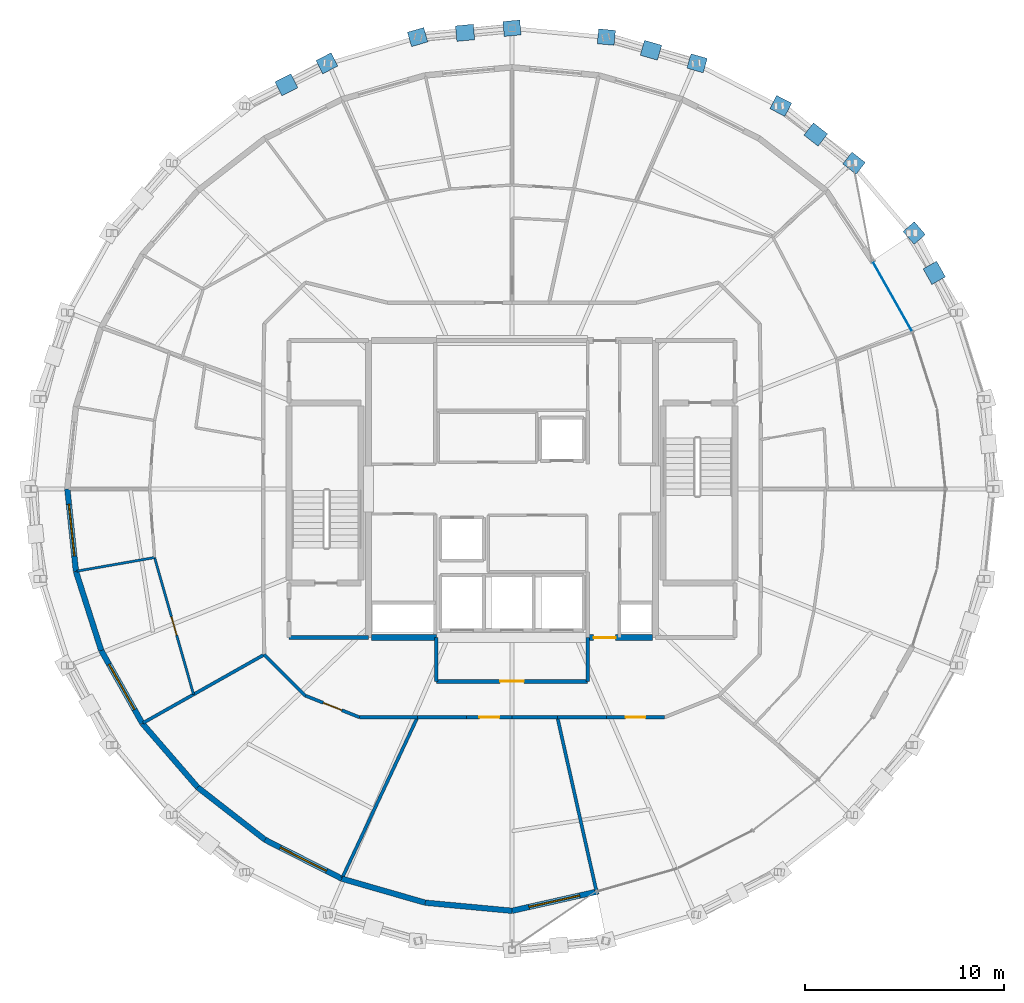
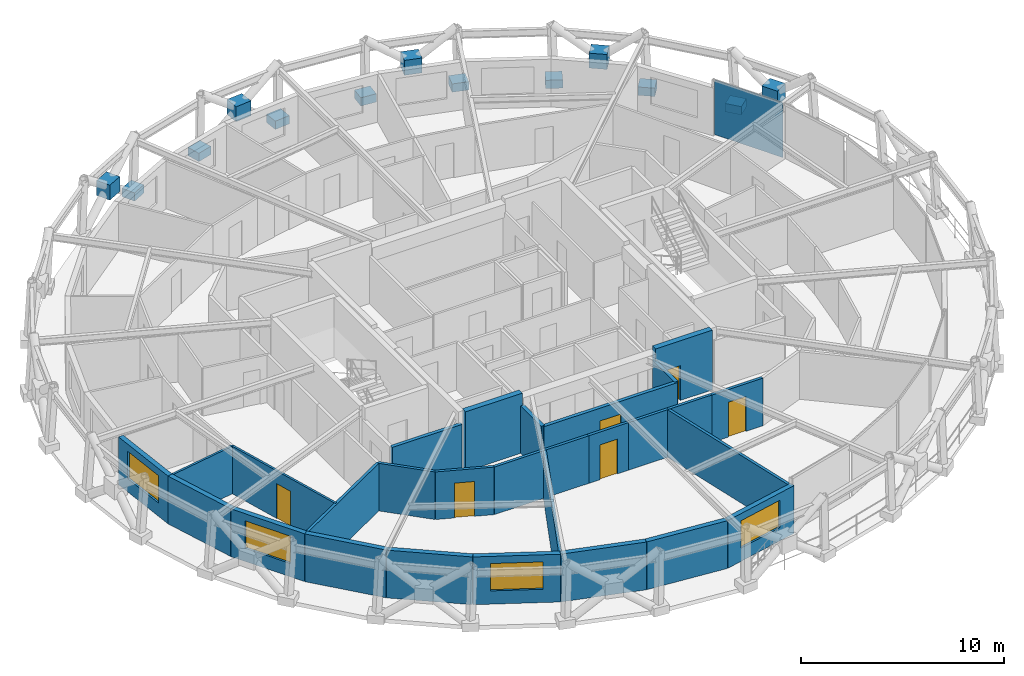
# One storey, part 12 of 18: 28 walls, 14 plates, 6 doors, 4 windows, 10 openings, 1 element without a shape of its own.
"""IFC4 building model written with IfcOpenShell, lengths in metres."""

import ifcopenshell
import ifcopenshell.guid

model = None  # the IFC model being written
_history = None  # IfcOwnerHistory: only IFC2X3 demands one
_inside = {}  # id of a spatial element -> (the spatial element, [elements in it])
_under = {}  # id of a project, library or spatial element -> (it, [spatial elements below it])
_declared = {}  # id of a project -> (the project, [libraries it declares])
_typed = {}  # id of a type object -> (the type object, [elements of that type])
_made_of = {}  # id of a material, layer set ... -> (it, [elements and type objects made of it])


def new_model(schema):
    """Start an empty IFC model of exactly this schema.

    Asked for "IFC4X3", IfcOpenShell would pick the latest addendum, in which some entities
    have other attributes; the version numbers below select the first issue.
    IFC2X3 requires an IfcOwnerHistory on every rooted entity: one is made here for all.
    """
    global model, _history
    if schema == "IFC4X3":
        model = ifcopenshell.file(schema_version=(4, 3, 0, 0))
    else:
        model = ifcopenshell.file(schema=schema)
    _inside.clear()
    _under.clear()
    _declared.clear()
    _typed.clear()
    _made_of.clear()
    _history = None
    if model.schema == "IFC2X3":
        org = make("IfcOrganization", Name="unknown")
        user = make(
            "IfcPersonAndOrganization",
            ThePerson=make("IfcPerson", FamilyName="unknown"),
            TheOrganization=org,
        )
        app = make(
            "IfcApplication",
            ApplicationDeveloper=org,
            Version="unknown",
            ApplicationFullName="unknown",
            ApplicationIdentifier="unknown",
        )
        _history = make(
            "IfcOwnerHistory",
            OwningUser=user,
            OwningApplication=app,
            ChangeAction="ADDED",
            CreationDate=0,
        )
    return model


def make(cls, **values):
    """One entity of the class cls with the attributes given. An attribute that is None is left unset."""
    return model.create_entity(
        cls, **{name: value for name, value in values.items() if value is not None}
    )


def rooted(cls, **values):
    """An entity with a GlobalId (a new one), such as an element, a storey or a relation."""
    return make(cls, GlobalId=ifcopenshell.guid.new(), OwnerHistory=_history, **values)


def si_unit(unit_type, name, prefix=None):
    """IfcSIUnit, for example si_unit("LENGTHUNIT", "METRE", prefix="MILLI")."""
    return make("IfcSIUnit", UnitType=unit_type, Prefix=prefix, Name=name)


def assignment(units):
    """IfcUnitAssignment: the units of a project."""
    return None if units is None else make("IfcUnitAssignment", Units=units)


def point(xyz):
    """IfcCartesianPoint."""
    return None if xyz is None else make("IfcCartesianPoint", Coordinates=xyz)


def direction(xyz):
    """IfcDirection."""
    return None if xyz is None else make("IfcDirection", DirectionRatios=xyz)


def frame(location, z_axis=None, x_axis=None):
    """IfcAxis2Placement3D, a coordinate frame: its origin and axes. An axis left out is left unset."""
    return make(
        "IfcAxis2Placement3D",
        Location=point(location),
        Axis=direction(z_axis),
        RefDirection=direction(x_axis),
    )


def frame_2d(location, x_axis=None):
    """IfcAxis2Placement2D, a coordinate frame in the plane: its origin and x axis."""
    return make(
        "IfcAxis2Placement2D", Location=point(location), RefDirection=direction(x_axis)
    )


def origin():
    """The frame at (0, 0, 0) with its axes left unset."""
    return frame((0.0, 0.0, 0.0))


def origin_2d():
    """The frame at (0, 0) in the plane with its x axis left unset."""
    return frame_2d((0.0, 0.0))


def place(relative_to, where):
    """IfcLocalPlacement: puts the frame where relative to a parent placement (None: the world)."""
    return make(
        "IfcLocalPlacement", PlacementRelTo=relative_to, RelativePlacement=where
    )


def context(
    kind, dimensions, precision=None, world=None, true_north=None, identifier=None
):
    """IfcGeometricRepresentationContext, for example the 3D "Model" context."""
    return make(
        "IfcGeometricRepresentationContext",
        ContextIdentifier=identifier,
        ContextType=kind,
        CoordinateSpaceDimension=dimensions,
        Precision=precision,
        WorldCoordinateSystem=world,
        TrueNorth=true_north,
    )


def subcontext(parent, identifier, kind, view, scale=None):
    """IfcGeometricRepresentationSubContext, for example "Body" below "Model"."""
    return make(
        "IfcGeometricRepresentationSubContext",
        ContextIdentifier=identifier,
        ContextType=kind,
        ParentContext=parent,
        TargetScale=scale,
        TargetView=view,
    )


def project(units=None, contexts=None):
    """IfcProject with its units and contexts."""
    return rooted(
        "IfcProject",
        Name="project",
        RepresentationContexts=contexts,
        UnitsInContext=assignment(units),
    )


def spatial(cls, under=None, at=None, **own):
    """A site, building, storey or space (cls), placed at a placement, below another one or the project."""
    s = rooted(cls, ObjectPlacement=at, **own)
    if under is not None:
        _under.setdefault(under.id(), (under, []))[1].append(s)
    return s


def profile(cls, at=None, kind="AREA", **sizes):
    """A parametric profile (cls). Its sizes go by their IFC names, for example OverallWidth=200.0."""
    return make(cls, ProfileType=kind, Position=at, **sizes)


def rectangle(**sizes):
    """IfcRectangleProfileDef."""
    return profile("IfcRectangleProfileDef", **sizes)


def extrude(swept, where, along, depth):
    """IfcExtrudedAreaSolid: the profile swept, set in the frame where, extruded along a direction by depth."""
    return make(
        "IfcExtrudedAreaSolid",
        SweptArea=swept,
        Position=where,
        ExtrudedDirection=direction(along),
        Depth=depth,
    )


def shape(context_of_items, identifier, shape_type, items):
    """IfcShapeRepresentation: the items that make up one representation, for example the "Body"."""
    return make(
        "IfcShapeRepresentation",
        ContextOfItems=context_of_items,
        RepresentationIdentifier=identifier,
        RepresentationType=shape_type,
        Items=items,
    )


def material(Name=None, Category=None):
    """IfcMaterial."""
    return make("IfcMaterial", Name=Name, Category=Category)


def layer(
    of_material, thickness, ventilated=None, Name=None, Category=None, Priority=None
):
    """IfcMaterialLayer: one layer of a wall or slab, of a material (None: an air gap)."""
    return make(
        "IfcMaterialLayer",
        Material=of_material,
        LayerThickness=thickness,
        IsVentilated=ventilated,
        Name=Name,
        Category=Category,
        Priority=Priority,
    )


def layer_set(layers, Name=None):
    """IfcMaterialLayerSet."""
    return make("IfcMaterialLayerSet", MaterialLayers=layers, LayerSetName=Name)


def made_of(thing, what):
    """Note that an element or type object is made of a material, layer set ...; save() writes the relation."""
    if what is not None:
        _made_of.setdefault(what.id(), (what, []))[1].append(thing)
    return thing


def type_object(cls, material=None, **own):
    """A type object (cls), such as IfcWallType, which elements share."""
    return made_of(rooted(cls, **own), material)


def element(
    cls,
    number,
    at=None,
    inside=None,
    cuts=None,
    type_object=None,
    material=None,
    context=None,
    identifier="Body",
    shape_type=None,
    held_by="IfcProductDefinitionShape",
    body=None,
    shapes=None,
    **own,
):
    """One element of the class cls, such as IfcWall. Its Tag is "e" and its number.

    at: its placement. inside: the storey or other place that contains it. cuts: it is an
    opening in that element (IfcRelVoidsElement). A single representation is given by context,
    identifier, shape_type and body (its items); several are given by shapes. held_by: the class
    of the entity that holds the representations. save() writes the other relations.
    """
    e = rooted(cls, Tag="e%d" % number, ObjectPlacement=at, **own)
    if body is not None:
        shapes = [shape(context, identifier, shape_type, body)]
    if shapes is not None:
        e.Representation = make(held_by, Representations=shapes)
    if inside is not None:
        _inside.setdefault(inside.id(), (inside, []))[1].append(e)
    if cuts is not None:
        rooted(
            "IfcRelVoidsElement", RelatingBuildingElement=cuts, RelatedOpeningElement=e
        )
    if type_object is not None:
        _typed.setdefault(type_object.id(), (type_object, []))[1].append(e)
    return made_of(e, material)


def fill(opening, filler):
    """IfcRelFillsElement: the door or window that sits in an opening."""
    return rooted(
        "IfcRelFillsElement",
        RelatingOpeningElement=opening,
        RelatedBuildingElement=filler,
    )


def aggregate(whole, parts):
    """IfcRelAggregates: a whole, such as a stair, and the parts it consists of."""
    return rooted("IfcRelAggregates", RelatingObject=whole, RelatedObjects=parts)


def save(model, path):
    """Write the relations noted so far, then the file.

    IfcRelAggregates (storeys below a building ...), IfcRelContainedInSpatialStructure (elements
    in a storey), IfcRelDefinesByType, IfcRelAssociatesMaterial and IfcRelDeclares: one each for
    every whole, place, type object, material and project.
    """
    for whole, parts in _under.values():
        aggregate(whole, parts)
    for where, things in _inside.values():
        rooted(
            "IfcRelContainedInSpatialStructure",
            RelatedElements=things,
            RelatingStructure=where,
        )
    for kind, things in _typed.values():
        rooted("IfcRelDefinesByType", RelatedObjects=things, RelatingType=kind)
    for what, things in _made_of.values():
        rooted("IfcRelAssociatesMaterial", RelatedObjects=things, RelatingMaterial=what)
    for by, libraries in _declared.values():
        rooted("IfcRelDeclares", RelatingContext=by, RelatedDefinitions=libraries)
    model.write(path)


model = new_model("IFC4")

# Units and contexts
model_context = context("Model", 3, precision=1e-05, world=origin(), true_north=direction((0.0, 1.0)))
body_context = subcontext(model_context, "Body", "Model", "MODEL_VIEW")
ifc_project = project(units=[si_unit("LENGTHUNIT", "METRE"), si_unit("AREAUNIT", "SQUARE_METRE"), si_unit("VOLUMEUNIT", "CUBIC_METRE"), si_unit("PLANEANGLEUNIT", "RADIAN"), si_unit("MASSUNIT", "GRAM", prefix="KILO")], contexts=[model_context])

# Site, building, storey
site_placement = place(None, origin())
site = spatial("IfcSite", under=ifc_project, at=site_placement, CompositionType="ELEMENT")
building_placement = place(site_placement, origin())
building = spatial("IfcBuilding", under=site, at=building_placement, Name="Veldorina Hangang Commons", CompositionType="ELEMENT")
storey_placement = place(building_placement, frame((0.0, 0.0, 232.800048828125)))
storey = spatial("IfcBuildingStorey", under=building, at=storey_placement, Name="L60", CompositionType="ELEMENT", Elevation=232.800048828125)

# Curtain wall, plate
ifc_material_1 = material(Name="Glass Low-E Selective", Category="glass")
ifc_layer_1 = layer(ifc_material_1, 0.179931640625)
ifc_layer_set_1 = layer_set([ifc_layer_1], Name="Glass Low-E Selective")
curtain_wall_type = type_object("IfcCurtainWallType", Name="CW-SYS-Z3", PredefinedType="NOTDEFINED", material=ifc_layer_set_1)
curtain_wall_placement = place(storey_placement, origin())
curtain_wall = element("IfcCurtainWall", 1, at=curtain_wall_placement, inside=storey, type_object=curtain_wall_type, Name="L60 unitised curtain wall CW-L60-R2", PredefinedType="NOTDEFINED")
ifc_material_2 = material(Name="Glass Low-E Triple IGU", Category="glass")
ifc_layer_2 = layer(ifc_material_2, 0.0400390625)
ifc_layer_set_2 = layer_set([ifc_layer_2], Name="Glass Low-E Triple IGU")
plate_type_1 = type_object("IfcPlateType", Name="CW-PNL-VIS", PredefinedType="CURTAIN_PANEL", material=ifc_layer_set_2)
plate_1_placement = place(storey_placement, frame((51.0859375, 33.6630859375, 0.014892578125), z_axis=(0.0, 0.0, 1.0), x_axis=(-0.49145105646, 0.870905195245, 0.0)))
plate_1 = element("IfcPlate", 2, at=plate_1_placement, type_object=plate_type_1, Name="CW-L60-R2 facet 5 glazed vision panel", PredefinedType="CURTAIN_PANEL", context=body_context, shape_type="SweptSolid", body=[
    extrude(rectangle(XDim=3.908935546875, YDim=0.0400390625, at=origin_2d()), origin(), (0.0, 0.0, 1.0), 3.2900390625),
])
aggregate(curtain_wall, [plate_1])

# Plates
ifc_material_3 = material(Name="Steel SM460-TMC", Category="steel")
ifc_layer_3 = layer(ifc_material_3, 0.035888671875)
ifc_layer_set_3 = layer_set([ifc_layer_3], Name="Steel SM460-TMC")
plate_type_2 = type_object("IfcPlateType", Name="PL-STAR-36", PredefinedType="USERDEFINED", material=ifc_layer_set_3)
plate_2_placement = place(storey_placement, frame((53.18359375, 34.84521484375, 1.352783203125), z_axis=(0.0, 0.0, 1.0), x_axis=(-0.489306347485, 0.872111975787, 0.0)))
element("IfcPlate", 3, at=plate_2_placement, inside=storey, type_object=plate_type_2, Name="L60 diagrid X-crossing star-node gusset plate 02", ObjectType="GUSSET PLATE", PredefinedType="USERDEFINED", context=body_context, shape_type="SweptSolid", body=[
    extrude(rectangle(XDim=0.89990234375, YDim=0.780029296875, at=origin_2d()), origin(), (0.0, 0.0, 1.0), 0.89990234375),
])
for number, where, z_axis, x_axis, name in (
    (4, (52.176513671875, 36.84375, -0.090087890625), (0.0, 0.0, 1.0), (-0.652667193568, 0.757644728378, 0.0), "L60 diagrid star-node gusset plate 03"),
    (5, (49.15869140625, 40.346923828125, -0.090087890625), (0.0, 0.0, 1.0), (-0.787785048966, 0.615950254992, 0.0), "L60 diagrid star-node gusset plate 04"),
):
    element("IfcPlate", number, at=place(storey_placement, frame(where, z_axis=z_axis, x_axis=x_axis)), inside=storey, type_object=plate_type_2, Name=name, ObjectType="GUSSET PLATE", PredefinedType="USERDEFINED", context=body_context, shape_type="SweptSolid", body=[
        extrude(rectangle(XDim=0.85009765625, YDim=0.75, at=origin_2d()), origin(), (0.0, 0.0, 1.0), 0.5),
    ])
plate_3_placement = place(storey_placement, frame((47.23828125, 41.78466796875, 1.3564453125), z_axis=(0.0, 0.0, 1.0), x_axis=(-0.787785048966, 0.615950254992, 0.0)))
element("IfcPlate", 6, at=plate_3_placement, inside=storey, type_object=plate_type_2, Name="L60 diagrid X-crossing star-node gusset plate 04", ObjectType="GUSSET PLATE", PredefinedType="USERDEFINED", context=body_context, shape_type="SweptSolid", body=[
    extrude(rectangle(XDim=0.89990234375, YDim=0.780029296875, at=origin_2d()), origin(), (0.0, 0.0, 1.0), 0.89990234375),
])
for number, where, z_axis, x_axis, name in (
    (7, (45.4814453125, 43.22216796875, -0.090087890625), (0.0, 0.0, 1.0), (-0.891117428394, 0.453772772224, 0.0), "L60 diagrid star-node gusset plate 05"),
    (8, (41.2861328125, 45.3583984375, -0.090087890625), (0.0, 0.0, 1.0), (-0.960687140311, 0.277633244482, 0.0), "L60 diagrid star-node gusset plate 06"),
):
    element("IfcPlate", number, at=place(storey_placement, frame(where, z_axis=z_axis, x_axis=x_axis)), inside=storey, type_object=plate_type_2, Name=name, ObjectType="GUSSET PLATE", PredefinedType="USERDEFINED", context=body_context, shape_type="SweptSolid", body=[
        extrude(rectangle(XDim=0.85009765625, YDim=0.75, at=origin_2d()), origin(), (0.0, 0.0, 1.0), 0.5),
    ])
plate_4_placement = place(storey_placement, frame((38.971923828125, 46.013671875, 1.359375), z_axis=(0.0, 0.0, 1.0), x_axis=(-0.960687140311, 0.277633244482, 0.0)))
element("IfcPlate", 9, at=plate_4_placement, inside=storey, type_object=plate_type_2, Name="L60 diagrid X-crossing star-node gusset plate 06", ObjectType="GUSSET PLATE", PredefinedType="USERDEFINED", context=body_context, shape_type="SweptSolid", body=[
    extrude(rectangle(XDim=0.89990234375, YDim=0.780029296875, at=origin_2d()), origin(), (0.0, 0.0, 1.0), 0.89990234375),
])
for number, where, z_axis, x_axis, name in (
    (10, (36.73388671875, 46.674072265625, -0.090087890625), (0.0, 0.0, 1.0), (-0.995627421982, 0.093413257074, 0.0), "L60 diagrid star-node gusset plate 07"),
    (11, (32.0, 47.1181640625, -0.090087890625), (0.0, 0.0, 1.0), (-0.995627421982, -0.093413257074, 0.0), "L60 diagrid star-node gusset plate 08"),
):
    element("IfcPlate", number, at=place(storey_placement, frame(where, z_axis=z_axis, x_axis=x_axis)), inside=storey, type_object=plate_type_2, Name=name, ObjectType="GUSSET PLATE", PredefinedType="USERDEFINED", context=body_context, shape_type="SweptSolid", body=[
        extrude(rectangle(XDim=0.85009765625, YDim=0.75, at=origin_2d()), origin(), (0.0, 0.0, 1.0), 0.5),
    ])
plate_5_placement = place(storey_placement, frame((29.646240234375, 46.888916015625, 1.360107421875), z_axis=(0.0, 0.0, 1.0), x_axis=(-0.995627421982, -0.093413257074, 0.0)))
element("IfcPlate", 12, at=plate_5_placement, inside=storey, type_object=plate_type_2, Name="L60 diagrid X-crossing star-node gusset plate 08", ObjectType="GUSSET PLATE", PredefinedType="USERDEFINED", context=body_context, shape_type="SweptSolid", body=[
    extrude(rectangle(XDim=0.89990234375, YDim=0.780029296875, at=origin_2d()), origin(), (0.0, 0.0, 1.0), 0.89990234375),
])
for number, where, z_axis, x_axis, name in (
    (13, (27.26611328125, 46.674072265625, -0.090087890625), (0.0, 0.0, 1.0), (-0.960687140311, -0.277633244482, 0.0), "L60 diagrid star-node gusset plate 09"),
    (14, (22.7138671875, 45.3583984375, -0.090087890625), (0.0, 0.0, 1.0), (-0.891117428394, -0.453772772224, 0.0), "L60 diagrid star-node gusset plate 10"),
):
    element("IfcPlate", number, at=place(storey_placement, frame(where, z_axis=z_axis, x_axis=x_axis)), inside=storey, type_object=plate_type_2, Name=name, ObjectType="GUSSET PLATE", PredefinedType="USERDEFINED", context=body_context, shape_type="SweptSolid", body=[
        extrude(rectangle(XDim=0.85009765625, YDim=0.75, at=origin_2d()), origin(), (0.0, 0.0, 1.0), 0.5),
    ])
plate_6_placement = place(storey_placement, frame((20.68212890625, 44.280517578125, 1.358154296875), z_axis=(0.0, 0.0, 1.0), x_axis=(-0.891117428394, -0.453772772224, 0.0)))
element("IfcPlate", 15, at=plate_6_placement, inside=storey, type_object=plate_type_2, Name="L60 diagrid X-crossing star-node gusset plate 10", ObjectType="GUSSET PLATE", PredefinedType="USERDEFINED", context=body_context, shape_type="SweptSolid", body=[
    extrude(rectangle(XDim=0.89990234375, YDim=0.780029296875, at=origin_2d()), origin(), (0.0, 0.0, 1.0), 0.89990234375),
])

# Wall
ifc_material_4 = material(Name="Concrete C50/60", Category="concrete")
ifc_layer_4 = layer(ifc_material_4, 0.320068359375)
ifc_layer_set_4 = layer_set([ifc_layer_4], Name="Concrete C50/60")
wall_type_1 = type_object("IfcWallType", Name="CW-RC320-C50", PredefinedType="SHEAR", material=ifc_layer_set_4)
wall_1_placement = place(storey_placement, frame((24.9599609375, 16.550048828125, 0.0), z_axis=(0.0, 0.0, 1.0), x_axis=(1.0, 0.0, 0.0)))
element("IfcWall", 16, at=wall_1_placement, inside=storey, type_object=wall_type_1, Name="L60 south-west core shear wall", PredefinedType="SHEAR", context=body_context, shape_type="SweptSolid", body=[
    extrude(rectangle(XDim=3.239990234375, YDim=0.320068359375, at=frame_2d((1.6201171875, 0.0))), origin(), (0.0, 0.0, 1.0), 3.599853515625),
])

# Wall, opening, door
wall_2_placement = place(storey_placement, frame((35.800048828125, 16.550048828125, 0.0), z_axis=(0.0, 0.0, 1.0), x_axis=(1.0, 0.0, 0.0)))
wall_2 = element("IfcWall", 17, at=wall_2_placement, inside=storey, type_object=wall_type_1, Name="L60 south-east core shear wall", PredefinedType="SHEAR", context=body_context, shape_type="SweptSolid", body=[
    extrude(rectangle(XDim=3.239990234375, YDim=0.320068359375, at=frame_2d((1.6201171875, 0.0))), origin(), (0.0, 0.0, 1.0), 3.599853515625),
])
opening_1_placement = place(wall_2_placement, frame((0.300048828125, 0.0, 0.0)))
opening_1 = element("IfcOpeningElement", 18, at=opening_1_placement, cuts=wall_2, Name="Opening D-08", PredefinedType="OPENING", context=body_context, shape_type="SweptSolid", body=[
    extrude(rectangle(XDim=1.10009765625, YDim=2.10009765625, at=frame_2d((0.550048828125, 1.050048828125))), frame((0.0, 0.169921875, 0.0), z_axis=(0.0, -1.0, 0.0), x_axis=(1.0, 0.0, 0.0)), (0.0, 0.0, 1.0), 0.340087890625),
])
ifc_material_5 = material(Name="Steel Fire-Rated Smoke Seal", Category="steel")
door_type_1 = type_object("IfcDoorType", Name="DR-FIRE-1100", OperationType="SINGLE_SWING_RIGHT", PredefinedType="DOOR", material=ifc_material_5)
door_1_placement = place(opening_1_placement, origin())
door_1 = element("IfcDoor", 19, at=door_1_placement, inside=storey, type_object=door_type_1, Name="L60 central lift lobby south corridor door", OperationType="SINGLE_SWING_RIGHT", OverallHeight=2.10009765625, OverallWidth=1.10009765625, PredefinedType="DOOR", context=body_context, shape_type="SweptSolid", body=[
    extrude(rectangle(XDim=1.10009765625, YDim=2.10009765625, at=frame_2d((0.550048828125, 1.050048828125))), frame((0.0, 0.02490234375, 0.0), z_axis=(0.0, -1.0, 0.0), x_axis=(1.0, 0.0, 0.0)), (0.0, 0.0, 1.0), 0.050048828125),
])
fill(opening_1, door_1)

# Wall, opening, window
ifc_material_6 = material(Name="Stone Roman Travertine", Category="masonry")
ifc_layer_5 = layer(ifc_material_6, 0.280029296875)
ifc_layer_set_5 = layer_set([ifc_layer_5], Name="Stone Roman Travertine")
wall_type_2 = type_object("IfcWallType", Name="EW-TRAV-280", PredefinedType="STANDARD", material=ifc_layer_set_5)
wall_3_placement = place(storey_placement, frame((9.694091796875, 24.0, 0.0), z_axis=(0.0, 0.0, 1.0), x_axis=(0.103306596515, -0.994649559954, 0.0)))
wall_3 = element("IfcWall", 20, at=wall_3_placement, inside=storey, type_object=wall_type_2, Name="L60 travertine facade wall 16", PredefinedType="STANDARD", context=body_context, shape_type="SweptSolid", body=[
    extrude(rectangle(XDim=4.14990234375, YDim=0.280029296875, at=frame_2d((2.074951171875, 0.0))), origin(), (0.0, 0.0, 1.0), 2.8798828125),
])
opening_2_placement = place(wall_3_placement, frame((0.77490234375, 0.0, 0.800048828125)))
opening_2 = element("IfcOpeningElement", 21, at=opening_2_placement, cuts=wall_3, Name="Opening W-02", PredefinedType="OPENING", context=body_context, shape_type="SweptSolid", body=[
    extrude(rectangle(XDim=2.60009765625, YDim=1.64990234375, at=frame_2d((1.300048828125, 0.824951171875))), frame((0.0, 0.14990234375, 0.0), z_axis=(0.0, -1.0, 0.0), x_axis=(1.0, 0.0, 0.0)), (0.0, 0.0, 1.0), 0.300048828125),
])
window_type = type_object("IfcWindowType", Name="WIN-TWR-2600", PartitioningType="SINGLE_PANEL", PredefinedType="WINDOW", material=ifc_material_2)
window_1_placement = place(opening_2_placement, origin())
window_1 = element("IfcWindow", 22, at=window_1_placement, inside=storey, type_object=window_type, Name="L60 facade window 16", OverallHeight=1.64990234375, OverallWidth=2.60009765625, PartitioningType="SINGLE_PANEL", PredefinedType="WINDOW", context=body_context, shape_type="SweptSolid", body=[
    extrude(rectangle(XDim=2.60009765625, YDim=1.64990234375, at=frame_2d((1.300048828125, 0.824951171875))), frame((0.0, 0.030029296875, 0.0), z_axis=(0.0, -1.0, 0.0), x_axis=(1.0, 0.0, 0.0)), (0.0, 0.0, 1.0), 0.06005859375),
])
fill(opening_2, window_1)

# Wall
wall_4_placement = place(storey_placement, frame((10.122802734375, 19.872314453125, 0.0), z_axis=(0.0, 0.0, 1.0), x_axis=(0.30458652957, -0.952484669695, 0.0)))
element("IfcWall", 23, at=wall_4_placement, inside=storey, type_object=wall_type_2, Name="L60 travertine facade wall 17", PredefinedType="STANDARD", context=body_context, shape_type="SweptSolid", body=[
    extrude(rectangle(XDim=4.167236328125, YDim=0.280029296875, at=frame_2d((2.08349609375, 0.0))), origin(), (0.0, 0.0, 1.0), 2.8798828125),
])

# Wall, opening, window
wall_5_placement = place(storey_placement, frame((11.39208984375, 15.903076171875, 0.0), z_axis=(0.0, 0.0, 1.0), x_axis=(0.490926410902, -0.871201044007, 0.0)))
wall_5 = element("IfcWall", 24, at=wall_5_placement, inside=storey, type_object=wall_type_2, Name="L60 travertine facade wall 18", PredefinedType="STANDARD", context=body_context, shape_type="SweptSolid", body=[
    extrude(rectangle(XDim=4.19873046875, YDim=0.280029296875, at=frame_2d((2.099365234375, 0.0))), origin(), (0.0, 0.0, 1.0), 2.8798828125),
])
opening_3_placement = place(wall_5_placement, frame((0.79931640625, 0.0, 0.800048828125)))
opening_3 = element("IfcOpeningElement", 25, at=opening_3_placement, cuts=wall_5, Name="Opening W-02", PredefinedType="OPENING", context=body_context, shape_type="SweptSolid", body=[
    extrude(rectangle(XDim=2.60009765625, YDim=1.64990234375, at=frame_2d((1.300048828125, 0.824951171875))), frame((0.0, 0.14990234375, 0.0), z_axis=(0.0, -1.0, 0.0), x_axis=(1.0, 0.0, 0.0)), (0.0, 0.0, 1.0), 0.300048828125),
])
window_2_placement = place(opening_3_placement, origin())
window_2 = element("IfcWindow", 26, at=window_2_placement, inside=storey, type_object=window_type, Name="L60 facade window 18", OverallHeight=1.64990234375, OverallWidth=2.60009765625, PartitioningType="SINGLE_PANEL", PredefinedType="WINDOW", context=body_context, shape_type="SweptSolid", body=[
    extrude(rectangle(XDim=2.60009765625, YDim=1.64990234375, at=frame_2d((1.300048828125, 0.824951171875))), frame((0.0, 0.030029296875, 0.0), z_axis=(0.0, -1.0, 0.0), x_axis=(1.0, 0.0, 0.0)), (0.0, 0.0, 1.0), 0.06005859375),
])
fill(opening_3, window_2)

# Walls
wall_6_placement = place(storey_placement, frame((13.453369140625, 12.2451171875, 0.0), z_axis=(0.0, 0.0, 1.0), x_axis=(0.654274793638, -0.756256897099, 0.0)))
element("IfcWall", 27, at=wall_6_placement, inside=storey, type_object=wall_type_2, Name="L60 travertine facade wall 19", PredefinedType="STANDARD", context=body_context, shape_type="SweptSolid", body=[
    extrude(rectangle(XDim=4.23974609375, YDim=0.280029296875, at=frame_2d((2.119873046875, 0.0))), origin(), (0.0, 0.0, 1.0), 2.8798828125),
])
wall_7_placement = place(storey_placement, frame((16.227294921875, 9.038818359375, 0.0), z_axis=(0.0, 0.0, 1.0), x_axis=(0.789112773216, -0.614248346475, 0.0)))
element("IfcWall", 28, at=wall_7_placement, inside=storey, type_object=wall_type_2, Name="L60 travertine facade wall 20", PredefinedType="STANDARD", context=body_context, shape_type="SweptSolid", body=[
    extrude(rectangle(XDim=4.283447265625, YDim=0.280029296875, at=frame_2d((2.1416015625, 0.0))), origin(), (0.0, 0.0, 1.0), 2.8798828125),
])

# Wall, opening, window
wall_8_placement = place(storey_placement, frame((19.607421875, 6.40771484375, 0.0), z_axis=(0.0, 0.0, 1.0), x_axis=(0.891906133231, -0.452220576162, 0.0)))
wall_8 = element("IfcWall", 29, at=wall_8_placement, inside=storey, type_object=wall_type_2, Name="L60 travertine facade wall 21", PredefinedType="STANDARD", context=body_context, shape_type="SweptSolid", body=[
    extrude(rectangle(XDim=4.32373046875, YDim=0.280029296875, at=frame_2d((2.161865234375, 0.0))), origin(), (0.0, 0.0, 1.0), 2.8798828125),
])
opening_4_placement = place(wall_8_placement, frame((0.86181640625, 0.0, 0.800048828125)))
opening_4 = element("IfcOpeningElement", 30, at=opening_4_placement, cuts=wall_8, Name="Opening W-02", PredefinedType="OPENING", context=body_context, shape_type="SweptSolid", body=[
    extrude(rectangle(XDim=2.60009765625, YDim=1.64990234375, at=frame_2d((1.300048828125, 0.824951171875))), frame((0.0, 0.14990234375, 0.0), z_axis=(0.0, -1.0, 0.0), x_axis=(1.0, 0.0, 0.0)), (0.0, 0.0, 1.0), 0.300048828125),
])
window_3_placement = place(opening_4_placement, origin())
window_3 = element("IfcWindow", 31, at=window_3_placement, inside=storey, type_object=window_type, Name="L60 facade window 21", OverallHeight=1.64990234375, OverallWidth=2.60009765625, PartitioningType="SINGLE_PANEL", PredefinedType="WINDOW", context=body_context, shape_type="SweptSolid", body=[
    extrude(rectangle(XDim=2.60009765625, YDim=1.64990234375, at=frame_2d((1.300048828125, 0.824951171875))), frame((0.0, 0.030029296875, 0.0), z_axis=(0.0, -1.0, 0.0), x_axis=(1.0, 0.0, 0.0)), (0.0, 0.0, 1.0), 0.06005859375),
])
fill(opening_4, window_3)

# Walls
wall_9_placement = place(storey_placement, frame((23.4638671875, 4.452392578125, 0.0), z_axis=(0.0, 0.0, 1.0), x_axis=(0.961001713186, -0.276542414927, 0.0)))
element("IfcWall", 32, at=wall_9_placement, inside=storey, type_object=wall_type_2, Name="L60 travertine facade wall 22", PredefinedType="STANDARD", context=body_context, shape_type="SweptSolid", body=[
    extrude(rectangle(XDim=4.354248046875, YDim=0.280029296875, at=frame_2d((2.17724609375, 0.0))), origin(), (0.0, 0.0, 1.0), 2.8798828125),
])
wall_10_placement = place(storey_placement, frame((27.648193359375, 3.248291015625, 0.0), z_axis=(0.0, 0.0, 1.0), x_axis=(0.995665801827, -0.093003285276, 0.0)))
element("IfcWall", 33, at=wall_10_placement, inside=storey, type_object=wall_type_2, Name="L60 travertine facade wall 23", PredefinedType="STANDARD", context=body_context, shape_type="SweptSolid", body=[
    extrude(rectangle(XDim=4.370849609375, YDim=0.280029296875, at=frame_2d((2.185546875, 0.0))), origin(), (0.0, 0.0, 1.0), 2.8798828125),
])

# Wall, opening, window
wall_11_placement = place(storey_placement, frame((32.0, 2.841796875, 0.0), z_axis=(0.0, 0.0, 1.0), x_axis=(0.975546432827, 0.219793442572, 0.0)))
wall_11 = element("IfcWall", 34, at=wall_11_placement, inside=storey, type_object=wall_type_2, Name="L60 travertine facade wall 24", PredefinedType="STANDARD", context=body_context, shape_type="SweptSolid", body=[
    extrude(rectangle(XDim=4.44091796875, YDim=0.280029296875, at=frame_2d((2.220458984375, 0.0))), origin(), (0.0, 0.0, 1.0), 2.8798828125),
])
opening_5_placement = place(wall_11_placement, frame((0.87451171875, 0.0, 0.800048828125)))
opening_5 = element("IfcOpeningElement", 35, at=opening_5_placement, cuts=wall_11, Name="Opening W-02", PredefinedType="OPENING", context=body_context, shape_type="SweptSolid", body=[
    extrude(rectangle(XDim=2.60009765625, YDim=1.64990234375, at=frame_2d((1.300048828125, 0.824951171875))), frame((0.0, 0.14990234375, 0.0), z_axis=(0.0, -1.0, 0.0), x_axis=(1.0, 0.0, 0.0)), (0.0, 0.0, 1.0), 0.300048828125),
])
window_4_placement = place(opening_5_placement, origin())
window_4 = element("IfcWindow", 36, at=window_4_placement, inside=storey, type_object=window_type, Name="L60 facade window 24", OverallHeight=1.64990234375, OverallWidth=2.60009765625, PartitioningType="SINGLE_PANEL", PredefinedType="WINDOW", context=body_context, shape_type="SweptSolid", body=[
    extrude(rectangle(XDim=2.60009765625, YDim=1.64990234375, at=frame_2d((1.300048828125, 0.824951171875))), frame((0.0, 0.030029296875, 0.0), z_axis=(0.0, -1.0, 0.0), x_axis=(1.0, 0.0, 0.0)), (0.0, 0.0, 1.0), 0.06005859375),
])
fill(opening_5, window_4)

# Wall
ifc_material_7 = material(Name="Gypsum Fire-Rated Twin Stud Wall", Category="gypsum")
ifc_layer_6 = layer(ifc_material_7, 0.159912109375)
ifc_layer_set_6 = layer_set([ifc_layer_6], Name="Gypsum Fire-Rated Twin Stud Wall")
wall_type_3 = type_object("IfcWallType", Name="WL-FIRE-160", PredefinedType="SOLIDWALL", material=ifc_layer_set_6)
wall_12_placement = place(storey_placement, frame((19.5732421875, 15.69677734375, 0.0), z_axis=(0.0, 0.0, 1.0), x_axis=(0.707106781187, -0.707106781187, 0.0)))
element("IfcWall", 37, at=wall_12_placement, inside=storey, type_object=wall_type_3, Name="L60 Compact collar outer wall 19 069", PredefinedType="SOLIDWALL", context=body_context, shape_type="SweptSolid", body=[
    extrude(rectangle(XDim=2.915771484375, YDim=0.159912109375, at=frame_2d((1.4580078125, 0.0))), origin(), (0.0, 0.0, 1.0), 2.869873046875),
])

# Wall, opening, door
wall_13_placement = place(storey_placement, frame((21.635009765625, 13.635009765625, 0.0), z_axis=(0.0, 0.0, 1.0), x_axis=(0.92856882165, -0.371160266542, 0.0)))
wall_13 = element("IfcWall", 38, at=wall_13_placement, inside=storey, type_object=wall_type_3, Name="L60 Compact collar outer wall 20 070", PredefinedType="SOLIDWALL", context=body_context, shape_type="SweptSolid", body=[
    extrude(rectangle(XDim=2.923095703125, YDim=0.159912109375, at=frame_2d((1.46142578125, 0.0))), origin(), (0.0, 0.0, 1.0), 2.869873046875),
])
opening_6_placement = place(wall_13_placement, frame((0.961669921875, 0.0, 0.0)))
opening_6 = element("IfcOpeningElement", 39, at=opening_6_placement, cuts=wall_13, Name="Opening D-05", PredefinedType="OPENING", context=body_context, shape_type="SweptSolid", body=[
    extrude(rectangle(XDim=1.0, YDim=2.10009765625, at=frame_2d((0.5, 1.050048828125))), frame((0.0, 0.08984375, 0.0), z_axis=(0.0, -1.0, 0.0), x_axis=(1.0, 0.0, 0.0)), (0.0, 0.0, 1.0), 0.179931640625),
])
ifc_material_8 = material(Name="Timber Solid Core Acoustic", Category="wood")
door_type_2 = type_object("IfcDoorType", Name="DR-INT-1000", OperationType="SINGLE_SWING_RIGHT", PredefinedType="DOOR", material=ifc_material_8)
door_2_placement = place(opening_6_placement, origin())
door_2 = element("IfcDoor", 40, at=door_2_placement, inside=storey, type_object=door_type_2, Name="L60 Floor Study Room 5 door 040", OperationType="SINGLE_SWING_RIGHT", OverallHeight=2.10009765625, OverallWidth=1.0, PredefinedType="DOOR", context=body_context, shape_type="SweptSolid", body=[
    extrude(rectangle(XDim=1.0, YDim=2.10009765625, at=frame_2d((0.5, 1.050048828125))), frame((0.0, 0.02490234375, 0.0), z_axis=(0.0, -1.0, 0.0), x_axis=(1.0, 0.0, 0.0)), (0.0, 0.0, 1.0), 0.050048828125),
])
fill(opening_6, door_2)

# Walls
wall_14_placement = place(storey_placement, frame((24.349365234375, 12.550048828125, 0.0), z_axis=(0.0, 0.0, 1.0), x_axis=(1.0, 0.0, 0.0)))
element("IfcWall", 41, at=wall_14_placement, inside=storey, type_object=wall_type_3, Name="L60 Compact collar outer wall 21 071", PredefinedType="SOLIDWALL", context=body_context, shape_type="SweptSolid", body=[
    extrude(rectangle(XDim=2.907958984375, YDim=0.159912109375, at=frame_2d((1.4541015625, 0.0))), origin(), (0.0, 0.0, 1.0), 2.869873046875),
])
wall_15_placement = place(storey_placement, frame((27.25732421875, 12.550048828125, 0.0), z_axis=(0.0, 0.0, 1.0), x_axis=(1.0, 0.0, 0.0)))
element("IfcWall", 42, at=wall_15_placement, inside=storey, type_object=wall_type_3, Name="L60 Compact collar outer wall 22 072", PredefinedType="SOLIDWALL", context=body_context, shape_type="SweptSolid", body=[
    extrude(rectangle(XDim=2.465087890625, YDim=0.159912109375, at=frame_2d((1.232421875, 0.0))), origin(), (0.0, 0.0, 1.0), 2.869873046875),
])

# Wall, opening, door
wall_16_placement = place(storey_placement, frame((29.722412109375, 12.550048828125, 0.0), z_axis=(0.0, 0.0, 1.0), x_axis=(1.0, 0.0, 0.0)))
wall_16 = element("IfcWall", 43, at=wall_16_placement, inside=storey, type_object=wall_type_3, Name="L60 Compact collar outer wall 23 073", PredefinedType="SOLIDWALL", context=body_context, shape_type="SweptSolid", body=[
    extrude(rectangle(XDim=2.277587890625, YDim=0.159912109375, at=frame_2d((1.138671875, 0.0))), origin(), (0.0, 0.0, 1.0), 2.869873046875),
])
opening_7_placement = place(wall_16_placement, frame((0.638671875, 0.0, 0.0)))
opening_7 = element("IfcOpeningElement", 44, at=opening_7_placement, cuts=wall_16, Name="Opening D-05", PredefinedType="OPENING", context=body_context, shape_type="SweptSolid", body=[
    extrude(rectangle(XDim=1.0, YDim=2.10009765625, at=frame_2d((0.5, 1.050048828125))), frame((0.0, 0.08984375, 0.0), z_axis=(0.0, -1.0, 0.0), x_axis=(1.0, 0.0, 0.0)), (0.0, 0.0, 1.0), 0.179931640625),
])
door_3_placement = place(opening_7_placement, origin())
door_3 = element("IfcDoor", 45, at=door_3_placement, inside=storey, type_object=door_type_2, Name="L60 Floor Study Room 6 door 041", OperationType="SINGLE_SWING_LEFT", OverallHeight=2.10009765625, OverallWidth=1.0, PredefinedType="DOOR", context=body_context, shape_type="SweptSolid", body=[
    extrude(rectangle(XDim=1.0, YDim=2.10009765625, at=frame_2d((0.5, 1.050048828125))), frame((0.0, 0.02490234375, 0.0), z_axis=(0.0, -1.0, 0.0), x_axis=(1.0, 0.0, 0.0)), (0.0, 0.0, 1.0), 0.050048828125),
])
fill(opening_7, door_3)

# Walls
wall_17_placement = place(storey_placement, frame((32.0, 12.550048828125, 0.0), z_axis=(0.0, 0.0, 1.0), x_axis=(1.0, 0.0, 0.0)))
element("IfcWall", 46, at=wall_17_placement, inside=storey, type_object=wall_type_3, Name="L60 Compact collar outer wall 24 074", PredefinedType="SOLIDWALL", context=body_context, shape_type="SweptSolid", body=[
    extrude(rectangle(XDim=2.277587890625, YDim=0.159912109375, at=frame_2d((1.138671875, 0.0))), origin(), (0.0, 0.0, 1.0), 2.869873046875),
])
wall_18_placement = place(storey_placement, frame((34.277587890625, 12.550048828125, 0.0), z_axis=(0.0, 0.0, 1.0), x_axis=(1.0, 0.0, 0.0)))
element("IfcWall", 47, at=wall_18_placement, inside=storey, type_object=wall_type_3, Name="L60 Compact collar outer wall 25 075", PredefinedType="SOLIDWALL", context=body_context, shape_type="SweptSolid", body=[
    extrude(rectangle(XDim=2.465087890625, YDim=0.159912109375, at=frame_2d((1.232421875, 0.0))), origin(), (0.0, 0.0, 1.0), 2.869873046875),
])

# Wall, opening, door
wall_19_placement = place(storey_placement, frame((36.74267578125, 12.550048828125, 0.0), z_axis=(0.0, 0.0, 1.0), x_axis=(1.0, 0.0, 0.0)))
wall_19 = element("IfcWall", 48, at=wall_19_placement, inside=storey, type_object=wall_type_3, Name="L60 Compact collar outer wall 26 076", PredefinedType="SOLIDWALL", context=body_context, shape_type="SweptSolid", body=[
    extrude(rectangle(XDim=2.907958984375, YDim=0.159912109375, at=frame_2d((1.4541015625, 0.0))), origin(), (0.0, 0.0, 1.0), 2.869873046875),
])
opening_8_placement = place(wall_19_placement, frame((0.9541015625, 0.0, 0.0)))
opening_8 = element("IfcOpeningElement", 49, at=opening_8_placement, cuts=wall_19, Name="Opening D-05", PredefinedType="OPENING", context=body_context, shape_type="SweptSolid", body=[
    extrude(rectangle(XDim=1.0, YDim=2.10009765625, at=frame_2d((0.5, 1.050048828125))), frame((0.0, 0.08984375, 0.0), z_axis=(0.0, -1.0, 0.0), x_axis=(1.0, 0.0, 0.0)), (0.0, 0.0, 1.0), 0.179931640625),
])
door_4_placement = place(opening_8_placement, origin())
door_4 = element("IfcDoor", 50, at=door_4_placement, inside=storey, type_object=door_type_2, Name="L60 Seminar Focus Room 7 door 042", OperationType="SINGLE_SWING_RIGHT", OverallHeight=2.10009765625, OverallWidth=1.0, PredefinedType="DOOR", context=body_context, shape_type="SweptSolid", body=[
    extrude(rectangle(XDim=1.0, YDim=2.10009765625, at=frame_2d((0.5, 1.050048828125))), frame((0.0, 0.02490234375, 0.0), z_axis=(0.0, -1.0, 0.0), x_axis=(1.0, 0.0, 0.0)), (0.0, 0.0, 1.0), 0.050048828125),
])
fill(opening_8, door_4)

# Walls
wall_20_placement = place(storey_placement, frame((19.5732421875, 15.69677734375, 0.0), z_axis=(0.0, 0.0, 1.0), x_axis=(-0.87102262413, -0.491242901479, 0.0)))
element("IfcWall", 51, at=wall_20_placement, inside=storey, type_object=wall_type_3, Name="L60 Unit party wall 19 121", PredefinedType="SOLIDWALL", context=body_context, shape_type="SweptSolid", body=[
    extrude(rectangle(XDim=6.97607421875, YDim=0.159912109375, at=frame_2d((3.488037109375, 0.0))), origin(), (0.0, 0.0, 1.0), 2.869873046875),
])
wall_21_placement = place(storey_placement, frame((27.25732421875, 12.550048828125, 0.0), z_axis=(0.0, 0.0, 1.0), x_axis=(-0.424224240042, -0.905557173325, 0.0)))
element("IfcWall", 52, at=wall_21_placement, inside=storey, type_object=wall_type_3, Name="L60 Unit party wall 22 122", PredefinedType="SOLIDWALL", context=body_context, shape_type="SweptSolid", body=[
    extrude(rectangle(XDim=8.89208984375, YDim=0.159912109375, at=frame_2d((4.446044921875, 0.0))), origin(), (0.0, 0.0, 1.0), 2.869873046875),
])
wall_22_placement = place(storey_placement, frame((34.277587890625, 12.550048828125, 0.0), z_axis=(0.0, 0.0, 1.0), x_axis=(0.219036747028, -0.975716610216, 0.0)))
element("IfcWall", 53, at=wall_22_placement, inside=storey, type_object=wall_type_3, Name="L60 Unit party wall 25 123", PredefinedType="SOLIDWALL", context=body_context, shape_type="SweptSolid", body=[
    extrude(rectangle(XDim=8.920166015625, YDim=0.159912109375, at=frame_2d((4.4599609375, 0.0))), origin(), (0.0, 0.0, 1.0), 2.869873046875),
])
ifc_material_9 = material(Name="Concrete Blockwork Fire Wall C30/37", Category="masonry")
ifc_layer_7 = layer(ifc_material_9, 0.199951171875)
ifc_layer_set_7 = layer_set([ifc_layer_7], Name="Concrete Blockwork Fire Wall C30/37")
wall_type_4 = type_object("IfcWallType", Name="WL-FIRE-200", PredefinedType="SOLIDWALL", material=ifc_layer_set_7)
wall_23_placement = place(storey_placement, frame((20.820068359375, 16.550048828125, 0.0), z_axis=(0.0, 0.0, 1.0), x_axis=(1.0, 0.0, 0.0)))
element("IfcWall", 54, at=wall_23_placement, inside=storey, type_object=wall_type_4, Name="L60 West vestibule south wall 002", PredefinedType="SOLIDWALL", context=body_context, shape_type="SweptSolid", body=[
    extrude(rectangle(XDim=3.97998046875, YDim=0.199951171875, at=frame_2d((1.989990234375, 0.0))), origin(), (0.0, 0.0, 1.0), 2.869873046875),
])
for number, where, z_axis, x_axis, name in (
    (55, (28.199951171875, 14.35009765625, 0.0), (0.0, 0.0, 1.0), (0.0, 1.0, 0.0), "L60 FF lobby west wall 012"),
    (56, (35.800048828125, 14.35009765625, 0.0), (0.0, 0.0, 1.0), (0.0, 1.0, 0.0), "L60 FF lobby east wall 013"),
):
    element("IfcWall", number, at=place(storey_placement, frame(where, z_axis=z_axis, x_axis=x_axis)), inside=storey, type_object=wall_type_4, Name=name, PredefinedType="SOLIDWALL", context=body_context, shape_type="SweptSolid", body=[
        extrude(rectangle(XDim=2.199951171875, YDim=0.199951171875, at=frame_2d((1.10009765625, 0.0))), origin(), (0.0, 0.0, 1.0), 2.869873046875),
    ])

# Wall, opening, door
wall_24_placement = place(storey_placement, frame((28.199951171875, 14.35009765625, 0.0), z_axis=(0.0, 0.0, 1.0), x_axis=(1.0, 0.0, 0.0)))
wall_24 = element("IfcWall", 57, at=wall_24_placement, inside=storey, type_object=wall_type_4, Name="L60 FF lobby south wall 014", PredefinedType="SOLIDWALL", context=body_context, shape_type="SweptSolid", body=[
    extrude(rectangle(XDim=7.60009765625, YDim=0.199951171875, at=frame_2d((3.800048828125, 0.0))), origin(), (0.0, 0.0, 1.0), 2.869873046875),
])
opening_9_placement = place(wall_24_placement, frame((3.199951171875, 0.0, 0.0)))
opening_9 = element("IfcOpeningElement", 58, at=opening_9_placement, cuts=wall_24, Name="Opening D-09", PredefinedType="OPENING", context=body_context, shape_type="SweptSolid", body=[
    extrude(rectangle(XDim=1.199951171875, YDim=2.10009765625, at=frame_2d((0.60009765625, 1.050048828125))), frame((0.0, 0.10986328125, 0.0), z_axis=(0.0, -1.0, 0.0), x_axis=(1.0, 0.0, 0.0)), (0.0, 0.0, 1.0), 0.219970703125),
])
ifc_material_10 = material(Name="Steel Fire-Rated Corridor Door", Category="steel")
door_type_3 = type_object("IfcDoorType", Name="DR-FIRE-1200", OperationType="SINGLE_SWING_LEFT", PredefinedType="DOOR", material=ifc_material_10)
door_5_placement = place(opening_9_placement, origin())
door_5 = element("IfcDoor", 59, at=door_5_placement, inside=storey, type_object=door_type_3, Name="L60 FF lobby south corridor door 005", OperationType="SINGLE_SWING_LEFT", OverallHeight=2.10009765625, OverallWidth=1.199951171875, PredefinedType="DOOR", context=body_context, shape_type="SweptSolid", body=[
    extrude(rectangle(XDim=1.199951171875, YDim=2.10009765625, at=frame_2d((0.60009765625, 1.050048828125))), frame((0.0, 0.02490234375, 0.0), z_axis=(0.0, -1.0, 0.0), x_axis=(1.0, 0.0, 0.0)), (0.0, 0.0, 1.0), 0.050048828125),
])
fill(opening_9, door_5)

ifc_material_11 = material(Name="Gypsum Acoustic Stud Partition", Category="gypsum")
ifc_layer_8 = layer(ifc_material_11, 0.1201171875)
ifc_layer_set_8 = layer_set([ifc_layer_8], Name="Gypsum Acoustic Stud Partition")
wall_type_5 = type_object("IfcWallType", Name="WL-PART-120", PredefinedType="PARTITIONING", material=ifc_layer_set_8)
wall_25_placement = place(storey_placement, frame((14.069580078125, 20.563232421875, 0.0), z_axis=(0.0, 0.0, 1.0), x_axis=(0.273646270328, -0.961830400193, 0.0)))
wall_25 = element("IfcWall", 60, at=wall_25_placement, inside=storey, type_object=wall_type_5, Name="L60 Cluster 4 bed 4 front wall 119", PredefinedType="PARTITIONING", context=body_context, shape_type="SweptSolid", body=[
    extrude(rectangle(XDim=7.140869140625, YDim=0.1201171875, at=frame_2d((3.5703125, 0.0))), origin(), (0.0, 0.0, 1.0), 2.869873046875),
])
opening_10_placement = place(wall_25_placement, frame((3.095458984375, 0.0, 0.0)))
opening_10 = element("IfcOpeningElement", 61, at=opening_10_placement, cuts=wall_25, Name="Opening D-02", PredefinedType="OPENING", context=body_context, shape_type="SweptSolid", body=[
    extrude(rectangle(XDim=0.949951171875, YDim=2.10009765625, at=frame_2d((0.47509765625, 1.050048828125))), frame((0.0, 0.070068359375, 0.0), z_axis=(0.0, -1.0, 0.0), x_axis=(1.0, 0.0, 0.0)), (0.0, 0.0, 1.0), 0.14013671875),
])
door_type_4 = type_object("IfcDoorType", Name="DR-INT-950", OperationType="SINGLE_SWING_LEFT", PredefinedType="DOOR", material=ifc_material_8)
door_6_placement = place(opening_10_placement, origin())
door_6 = element("IfcDoor", 62, at=door_6_placement, inside=storey, type_object=door_type_4, Name="L60 Cluster 4 bed 4 door 039", OperationType="SINGLE_SWING_LEFT", OverallHeight=2.10009765625, OverallWidth=0.949951171875, PredefinedType="DOOR", context=body_context, shape_type="SweptSolid", body=[
    extrude(rectangle(XDim=0.949951171875, YDim=2.10009765625, at=frame_2d((0.47509765625, 1.050048828125))), frame((0.0, 0.02490234375, 0.0), z_axis=(0.0, -1.0, 0.0), x_axis=(1.0, 0.0, 0.0)), (0.0, 0.0, 1.0), 0.050048828125),
])
fill(opening_10, door_6)

# Wall
wall_26_placement = place(storey_placement, frame((14.069580078125, 20.563232421875, 0.0), z_axis=(0.0, 0.0, 1.0), x_axis=(-0.985016843907, -0.172458160782, 0.0)))
element("IfcWall", 63, at=wall_26_placement, inside=storey, type_object=wall_type_5, Name="L60 Cluster 4 bed divider 3 120", PredefinedType="PARTITIONING", context=body_context, shape_type="SweptSolid", body=[
    extrude(rectangle(XDim=3.956787109375, YDim=0.1201171875, at=frame_2d((1.978515625, 0.0))), origin(), (0.0, 0.0, 1.0), 2.869873046875),
])

save(model, "model.ifc")
